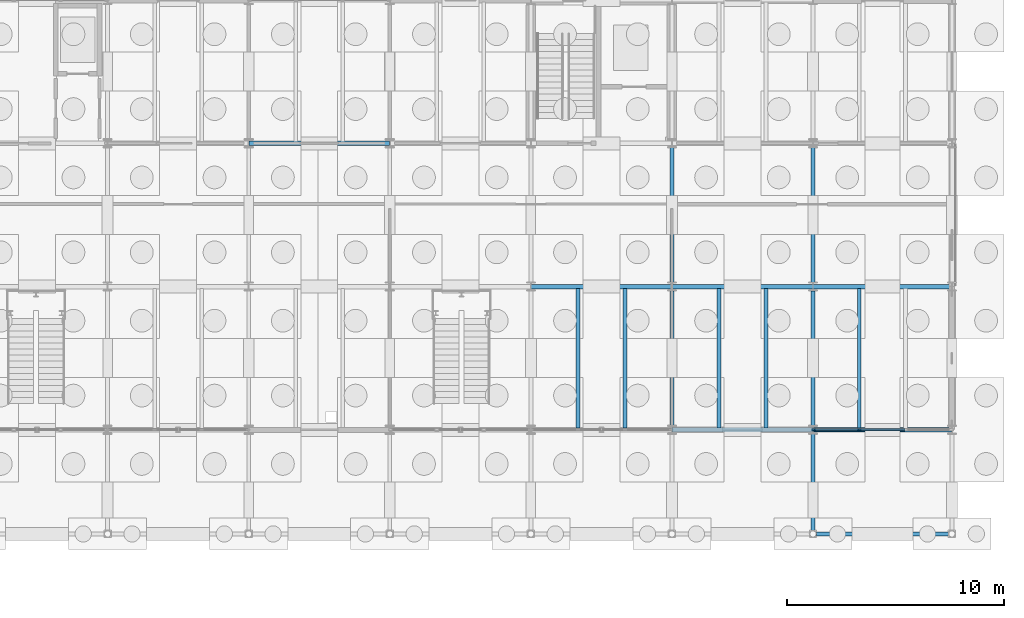
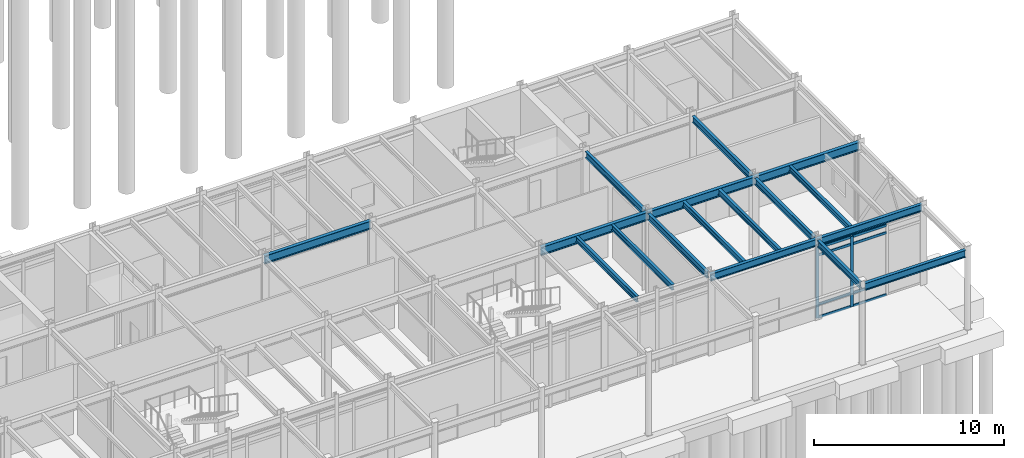
# One storey, part 44 of 82: 17 beams, 10 members, 1 element without a shape of its own.
"""IFC4 building model written with IfcOpenShell, lengths in metres."""

from ifc_helpers import new_model, si_unit, direction, frame, origin, origin_2d, place, context, subcontext, project, spatial, rectangle, i_section, extrude, material, layer, layer_set, material_profile, profile_set, type_object, element, aggregate, save


model = new_model("IFC4")

# Units and contexts
model_context = context("Model", 3, precision=1e-05, world=origin(), true_north=direction((0.0, 1.0)))
body_context = subcontext(model_context, "Body", "Model", "MODEL_VIEW")
ifc_project = project(units=[si_unit("LENGTHUNIT", "METRE"), si_unit("AREAUNIT", "SQUARE_METRE"), si_unit("VOLUMEUNIT", "CUBIC_METRE"), si_unit("PLANEANGLEUNIT", "RADIAN"), si_unit("MASSUNIT", "GRAM", prefix="KILO")], contexts=[model_context])

# Site, building, storey
site_placement = place(None, origin())
site = spatial("IfcSite", under=ifc_project, at=site_placement, CompositionType="ELEMENT")
building_placement = place(site_placement, origin())
building = spatial("IfcBuilding", under=site, at=building_placement, Name="Trelmorton Wharf Fire Station", CompositionType="ELEMENT")
storey_placement = place(building_placement, origin())
storey = spatial("IfcBuildingStorey", under=building, at=storey_placement, Name="L00", CompositionType="ELEMENT", Elevation=0.0)

# Beams
ifc_material_1 = material(Name="Steel Grade 350", Category="steel")
ifc_material_profile_1 = material_profile(ifc_material_1, i_section(OverallWidth=0.177978515625, OverallDepth=0.406005859375, WebThickness=0.0078125, FlangeThickness=0.0126953125, FilletRadius=0.011474609375, at=origin_2d()), Name="410UB59.7")
ifc_profile_set_1 = profile_set([ifc_material_profile_1], Name="Steel Grade 350")
beam_type_1 = type_object("IfcBeamType", Name="BM_410UB60", PredefinedType="BEAM", material=ifc_profile_set_1)
for number, where, z_axis, x_axis, name in (
    (1, (149.5, 7.99609375, 4.927001953125), (0.0, 1.0, 0.0), (-1.0, 0.0, 0.0), "BM-L00-0373"),
    (2, (149.5, 14.595947265625, 4.927001953125), (0.0, 1.0, 0.0), (-1.0, 0.0, 0.0), "BM-L00-0374"),
):
    element("IfcBeam", number, at=place(storey_placement, frame(where, z_axis=z_axis, x_axis=x_axis)), inside=storey, type_object=beam_type_1, Name=name, PredefinedType="BEAM", context=body_context, shape_type="SweptSolid", body=[
        extrude(i_section(OverallWidth=0.177978515625, OverallDepth=0.406005859375, WebThickness=0.0078125, FlangeThickness=0.0126953125, FilletRadius=0.011474609375, at=origin_2d()), origin(), (0.0, 0.0, 1.0), 6.2080078125),
    ])
beam_1_placement = place(storey_placement, frame((156.0, 3.157958984375, 4.927001953125), z_axis=(0.0, 1.0, 0.0), x_axis=(-1.0, 0.0, 0.0)))
element("IfcBeam", 3, at=beam_1_placement, inside=storey, type_object=beam_type_1, Name="BM-L00-0379", PredefinedType="BEAM", context=body_context, shape_type="SweptSolid", body=[
    extrude(i_section(OverallWidth=0.177978515625, OverallDepth=0.406005859375, WebThickness=0.0078125, FlangeThickness=0.0126953125, FilletRadius=0.011474609375, at=origin_2d()), origin(), (0.0, 0.0, 1.0), 4.446044921875),
])
for number, where, z_axis, x_axis, name in (
    (4, (156.0, 7.99609375, 4.927001953125), (0.0, 1.0, 0.0), (-1.0, 0.0, 0.0), "BM-L00-0380"),
    (5, (156.0, 14.595947265625, 4.927001953125), (0.0, 1.0, 0.0), (-1.0, 0.0, 0.0), "BM-L00-0381"),
):
    element("IfcBeam", number, at=place(storey_placement, frame(where, z_axis=z_axis, x_axis=x_axis)), inside=storey, type_object=beam_type_1, Name=name, PredefinedType="BEAM", context=body_context, shape_type="SweptSolid", body=[
        extrude(i_section(OverallWidth=0.177978515625, OverallDepth=0.406005859375, WebThickness=0.0078125, FlangeThickness=0.0126953125, FilletRadius=0.011474609375, at=origin_2d()), origin(), (0.0, 0.0, 1.0), 6.2080078125),
    ])
ifc_material_profile_2 = material_profile(ifc_material_1, i_section(OverallWidth=0.208984375, OverallDepth=0.532958984375, WebThickness=0.01025390625, FlangeThickness=0.015625, FilletRadius=0.013916015625, at=origin_2d()), Name="530UB92.4")
ifc_profile_set_2 = profile_set([ifc_material_profile_2], Name="Steel Grade 350")
beam_type_2 = type_object("IfcBeamType", Name="BM_530UB92", PredefinedType="BEAM", material=ifc_profile_set_2)
for number, where, z_axis, x_axis, name in (
    (6, (143.008056640625, 14.39990234375, 4.863525390625), (1.0, 0.0, 0.0), (0.0, 1.0, 0.0), "BM-L00-0055"),
    (7, (149.508056640625, 14.39990234375, 4.863525390625), (1.0, 0.0, 0.0), (0.0, 1.0, 0.0), "BM-L00-0056"),
):
    element("IfcBeam", number, at=place(storey_placement, frame(where, z_axis=z_axis, x_axis=x_axis)), inside=storey, type_object=beam_type_2, Name=name, PredefinedType="BEAM", context=body_context, shape_type="SweptSolid", body=[
        extrude(i_section(OverallWidth=0.208984375, OverallDepth=0.532958984375, WebThickness=0.01025390625, FlangeThickness=0.015625, FilletRadius=0.013916015625, at=origin_2d()), origin(), (0.0, 0.0, 1.0), 6.48388671875),
    ])
beam_2_placement = place(storey_placement, frame((156.008056640625, 14.39990234375, 4.863525390625), z_axis=(1.0, 0.0, 0.0), x_axis=(0.0, 1.0, 0.0)))
element("IfcBeam", 8, at=beam_2_placement, inside=storey, type_object=beam_type_2, Name="BM-L00-0057", PredefinedType="BEAM", context=body_context, shape_type="SweptSolid", body=[
    extrude(i_section(OverallWidth=0.208984375, OverallDepth=0.532958984375, WebThickness=0.01025390625, FlangeThickness=0.015625, FilletRadius=0.013916015625, at=origin_2d()), origin(), (0.0, 0.0, 1.0), 6.384033203125),
])
beam_3_placement = place(storey_placement, frame((130.008056640625, 21.0, 4.863525390625), z_axis=(1.0, 0.0, 0.0), x_axis=(0.0, 1.0, 0.0)))
element("IfcBeam", 9, at=beam_3_placement, inside=storey, type_object=beam_type_2, Name="BM-L00-0075", PredefinedType="BEAM", context=body_context, shape_type="SweptSolid", body=[
    extrude(i_section(OverallWidth=0.208984375, OverallDepth=0.532958984375, WebThickness=0.01025390625, FlangeThickness=0.015625, FilletRadius=0.013916015625, at=origin_2d()), origin(), (0.0, 0.0, 1.0), 6.48388671875),
])
ifc_material_2 = material(Name="Signal-red architectural steel Grade 350", Category="steel")
ifc_material_profile_3 = material_profile(ifc_material_2, i_section(OverallWidth=0.19091796875, OverallDepth=0.4599609375, WebThickness=0.010009765625, FlangeThickness=0.01611328125, FilletRadius=0.011474609375, at=origin_2d()), Name="460UB82.1")
ifc_profile_set_3 = profile_set([ifc_material_profile_3], Name="Signal-red architectural steel Grade 350")
beam_type_3 = type_object("IfcBeamType", Name="BM_RED_460UB82", PredefinedType="BEAM", material=ifc_profile_set_3)
beam_4_placement = place(storey_placement, frame((156.157958984375, 3.0, 4.89990234375), z_axis=(1.0, 0.0, 0.0), x_axis=(0.0, 1.0, 0.0)))
element("IfcBeam", 10, at=beam_4_placement, inside=storey, type_object=beam_type_3, Name="BM-L00-0023", PredefinedType="BEAM", context=body_context, shape_type="SweptSolid", body=[
    extrude(i_section(OverallWidth=0.19091796875, OverallDepth=0.4599609375, WebThickness=0.010009765625, FlangeThickness=0.01611328125, FilletRadius=0.011474609375, at=origin_2d()), origin(), (0.0, 0.0, 1.0), 6.084228515625),
])

# Curtain wall, members
ifc_material_3 = material(Name="Anodised aluminium AW-6063", Category="aluminium")
ifc_layer = layer(ifc_material_3, 0.159912109375)
ifc_layer_set = layer_set([ifc_layer], Name="Anodised aluminium AW-6063")
curtain_wall_type = type_object("IfcCurtainWallType", Name="CW_CHIC_A", PredefinedType="USERDEFINED", material=ifc_layer_set)
curtain_wall_placement = place(storey_placement, origin())
curtain_wall = element("IfcCurtainWall", 11, at=curtain_wall_placement, inside=storey, type_object=curtain_wall_type, Name="CW-V5-L00-034", ObjectType="CHICAGO BAY CURTAIN WALL", PredefinedType="USERDEFINED")
ifc_material_profile_4 = material_profile(ifc_material_3, rectangle(XDim=0.074951171875, YDim=0.175048828125, at=origin_2d()), Name="ALU-75x175")
ifc_profile_set_4 = profile_set([ifc_material_profile_4], Name="Anodised aluminium AW-6063")
member_type_1 = type_object("IfcMemberType", Name="CWM_75x175", PredefinedType="MULLION", material=ifc_profile_set_4)
member_1_placement = place(storey_placement, frame((158.135009765625, 7.800048828125, 0.0), z_axis=(0.0, 0.0, 1.0), x_axis=(0.0, -1.0, 0.0)))
member_1 = element("IfcMember", 12, at=member_1_placement, type_object=member_type_1, Name="CW1 mullion 3", PredefinedType="MULLION", context=body_context, shape_type="SweptSolid", body=[
    extrude(rectangle(XDim=0.074951171875, YDim=0.175048828125, at=origin_2d()), origin(), (0.0, 0.0, 1.0), 4.52001953125),
])
member_2_placement = place(storey_placement, frame((156.034912109375, 7.800048828125, 0.0), z_axis=(0.0, 0.0, 1.0), x_axis=(0.0, -1.0, 0.0)))
member_2 = element("IfcMember", 13, at=member_2_placement, type_object=member_type_1, Name="CW1 mullion 4", PredefinedType="MULLION", context=body_context, shape_type="SweptSolid", body=[
    extrude(rectangle(XDim=0.074951171875, YDim=0.175048828125, at=origin_2d()), origin(), (0.0, 0.0, 1.0), 4.52001953125),
])
ifc_material_profile_5 = material_profile(ifc_material_3, rectangle(XDim=0.074951171875, YDim=0.155029296875, at=origin_2d()), Name="ALU-75x155")
ifc_profile_set_5 = profile_set([ifc_material_profile_5], Name="Anodised aluminium AW-6063")
member_type_2 = type_object("IfcMemberType", Name="CWT_75x155", PredefinedType="USERDEFINED", material=ifc_profile_set_5)
member_3_placement = place(storey_placement, frame((160.235107421875, 7.800048828125, 0.030029296875), z_axis=(-1.0, 0.0, 0.0), x_axis=(0.0, -1.0, 0.0)))
member_3 = element("IfcMember", 14, at=member_3_placement, type_object=member_type_2, Name="CW1 transom 2.1", ObjectType="TRANSOM", PredefinedType="USERDEFINED", context=body_context, shape_type="SweptSolid", body=[
    extrude(rectangle(XDim=0.074951171875, YDim=0.155029296875, at=origin_2d()), origin(), (0.0, 0.0, 1.0), 2.070068359375),
])
member_4_placement = place(storey_placement, frame((160.235107421875, 7.800048828125, 0.85009765625), z_axis=(-1.0, 0.0, 0.0), x_axis=(0.0, -1.0, 0.0)))
member_4 = element("IfcMember", 15, at=member_4_placement, type_object=member_type_2, Name="CW1 transom 2.2", ObjectType="TRANSOM", PredefinedType="USERDEFINED", context=body_context, shape_type="SweptSolid", body=[
    extrude(rectangle(XDim=0.074951171875, YDim=0.155029296875, at=origin_2d()), origin(), (0.0, 0.0, 1.0), 2.070068359375),
])
member_5_placement = place(storey_placement, frame((160.235107421875, 7.800048828125, 4.02001953125), z_axis=(-1.0, 0.0, 0.0), x_axis=(0.0, -1.0, 0.0)))
member_5 = element("IfcMember", 16, at=member_5_placement, type_object=member_type_2, Name="CW1 transom 2.3", ObjectType="TRANSOM", PredefinedType="USERDEFINED", context=body_context, shape_type="SweptSolid", body=[
    extrude(rectangle(XDim=0.074951171875, YDim=0.155029296875, at=origin_2d()), origin(), (0.0, 0.0, 1.0), 2.070068359375),
])
member_6_placement = place(storey_placement, frame((160.235107421875, 7.800048828125, 4.489990234375), z_axis=(-1.0, 0.0, 0.0), x_axis=(0.0, -1.0, 0.0)))
member_6 = element("IfcMember", 17, at=member_6_placement, type_object=member_type_2, Name="CW1 transom 2.4", ObjectType="TRANSOM", PredefinedType="USERDEFINED", context=body_context, shape_type="SweptSolid", body=[
    extrude(rectangle(XDim=0.074951171875, YDim=0.155029296875, at=origin_2d()), origin(), (0.0, 0.0, 1.0), 2.070068359375),
])
member_7_placement = place(storey_placement, frame((158.10498046875, 7.800048828125, 0.030029296875), z_axis=(-1.0, 0.0, 0.0), x_axis=(0.0, -1.0, 0.0)))
member_7 = element("IfcMember", 18, at=member_7_placement, type_object=member_type_2, Name="CW1 transom 3.1", ObjectType="TRANSOM", PredefinedType="USERDEFINED", context=body_context, shape_type="SweptSolid", body=[
    extrude(rectangle(XDim=0.074951171875, YDim=0.155029296875, at=origin_2d()), origin(), (0.0, 0.0, 1.0), 2.0400390625),
])
member_8_placement = place(storey_placement, frame((158.10498046875, 7.800048828125, 0.85009765625), z_axis=(-1.0, 0.0, 0.0), x_axis=(0.0, -1.0, 0.0)))
member_8 = element("IfcMember", 19, at=member_8_placement, type_object=member_type_2, Name="CW1 transom 3.2", ObjectType="TRANSOM", PredefinedType="USERDEFINED", context=body_context, shape_type="SweptSolid", body=[
    extrude(rectangle(XDim=0.074951171875, YDim=0.155029296875, at=origin_2d()), origin(), (0.0, 0.0, 1.0), 2.0400390625),
])
member_9_placement = place(storey_placement, frame((158.10498046875, 7.800048828125, 4.02001953125), z_axis=(-1.0, 0.0, 0.0), x_axis=(0.0, -1.0, 0.0)))
member_9 = element("IfcMember", 20, at=member_9_placement, type_object=member_type_2, Name="CW1 transom 3.3", ObjectType="TRANSOM", PredefinedType="USERDEFINED", context=body_context, shape_type="SweptSolid", body=[
    extrude(rectangle(XDim=0.074951171875, YDim=0.155029296875, at=origin_2d()), origin(), (0.0, 0.0, 1.0), 2.0400390625),
])
member_10_placement = place(storey_placement, frame((158.10498046875, 7.800048828125, 4.489990234375), z_axis=(-1.0, 0.0, 0.0), x_axis=(0.0, -1.0, 0.0)))
member_10 = element("IfcMember", 21, at=member_10_placement, type_object=member_type_2, Name="CW1 transom 3.4", ObjectType="TRANSOM", PredefinedType="USERDEFINED", context=body_context, shape_type="SweptSolid", body=[
    extrude(rectangle(XDim=0.074951171875, YDim=0.155029296875, at=origin_2d()), origin(), (0.0, 0.0, 1.0), 2.0400390625),
])
aggregate(curtain_wall, [member_1, member_2, member_3, member_4, member_5, member_6, member_7, member_8, member_9, member_10])

# Beams
ifc_material_profile_6 = material_profile(ifc_material_1, i_section(OverallWidth=0.172119140625, OverallDepth=0.35888671875, WebThickness=0.008056640625, FlangeThickness=0.012939453125, FilletRadius=0.011474609375, at=origin_2d()), Name="360UB56.7")
ifc_profile_set_6 = profile_set([ifc_material_profile_6], Name="Steel Grade 350")
beam_type_4 = type_object("IfcBeamType", Name="JS_360UB57", PredefinedType="JOIST", material=ifc_profile_set_6)
for number, where, z_axis, x_axis, name in (
    (22, (145.166748046875, 7.889892578125, 4.950439453125), (0.0, 1.0, 0.0), (-1.0, 0.0, 0.0), "JS-L00-0113"),
    (23, (147.333251953125, 7.889892578125, 4.950439453125), (0.0, 1.0, 0.0), (-1.0, 0.0, 0.0), "JS-L00-0114"),
    (24, (151.666748046875, 7.889892578125, 4.950439453125), (0.0, 1.0, 0.0), (-1.0, 0.0, 0.0), "JS-L00-0119"),
    (25, (153.833251953125, 7.889892578125, 4.950439453125), (0.0, 1.0, 0.0), (-1.0, 0.0, 0.0), "JS-L00-0120"),
    (26, (158.13330078125, 7.889892578125, 4.950439453125), (0.0, 1.0, 0.0), (-1.0, 0.0, 0.0), "JS-L00-0129"),
):
    element("IfcBeam", number, at=place(storey_placement, frame(where, z_axis=z_axis, x_axis=x_axis)), inside=storey, type_object=beam_type_4, Name=name, PredefinedType="JOIST", context=body_context, shape_type="SweptSolid", body=[
        extrude(i_section(OverallWidth=0.172119140625, OverallDepth=0.35888671875, WebThickness=0.008056640625, FlangeThickness=0.012939453125, FilletRadius=0.011474609375, at=origin_2d()), origin(), (0.0, 0.0, 1.0), 6.420166015625),
    ])
ifc_material_profile_7 = material_profile(ifc_material_1, i_section(OverallWidth=0.18994140625, OverallDepth=0.45703125, WebThickness=0.009033203125, FlangeThickness=0.014404296875, FilletRadius=0.011474609375, at=origin_2d()), Name="460UB74.6")
ifc_profile_set_7 = profile_set([ifc_material_profile_7], Name="Steel Grade 350")
beam_type_5 = type_object("IfcBeamType", Name="SP_460UB75", PredefinedType="SPANDREL", material=ifc_profile_set_7)
beam_5_placement = place(storey_placement, frame((149.508056640625, 7.800048828125, 4.901611328125), z_axis=(1.0, 0.0, 0.0), x_axis=(0.0, 1.0, 0.0)))
element("IfcBeam", 27, at=beam_5_placement, inside=storey, type_object=beam_type_5, Name="BM-L00-0045", PredefinedType="SPANDREL", context=body_context, shape_type="SweptSolid", body=[
    extrude(i_section(OverallWidth=0.18994140625, OverallDepth=0.45703125, WebThickness=0.009033203125, FlangeThickness=0.014404296875, FilletRadius=0.011474609375, at=origin_2d()), origin(), (0.0, 0.0, 1.0), 6.48388671875),
])
beam_6_placement = place(storey_placement, frame((156.008056640625, 7.800048828125, 4.901611328125), z_axis=(1.0, 0.0, 0.0), x_axis=(0.0, 1.0, 0.0)))
element("IfcBeam", 28, at=beam_6_placement, inside=storey, type_object=beam_type_5, Name="BM-L00-0046", PredefinedType="SPANDREL", context=body_context, shape_type="SweptSolid", body=[
    extrude(i_section(OverallWidth=0.18994140625, OverallDepth=0.45703125, WebThickness=0.009033203125, FlangeThickness=0.014404296875, FilletRadius=0.011474609375, at=origin_2d()), origin(), (0.0, 0.0, 1.0), 6.384033203125),
])

save(model, "model.ifc")
